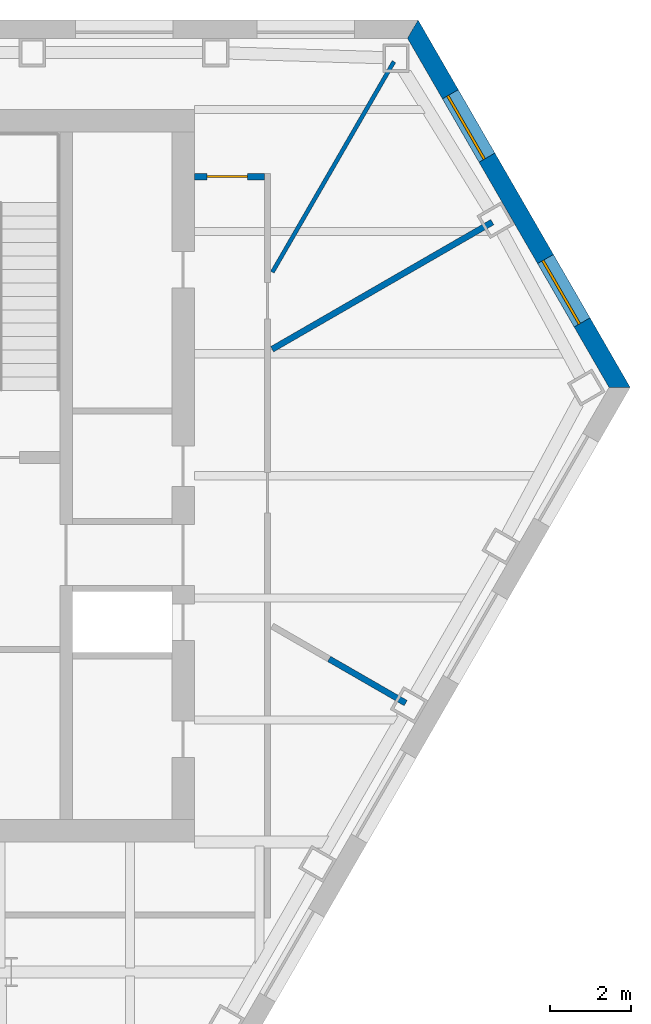
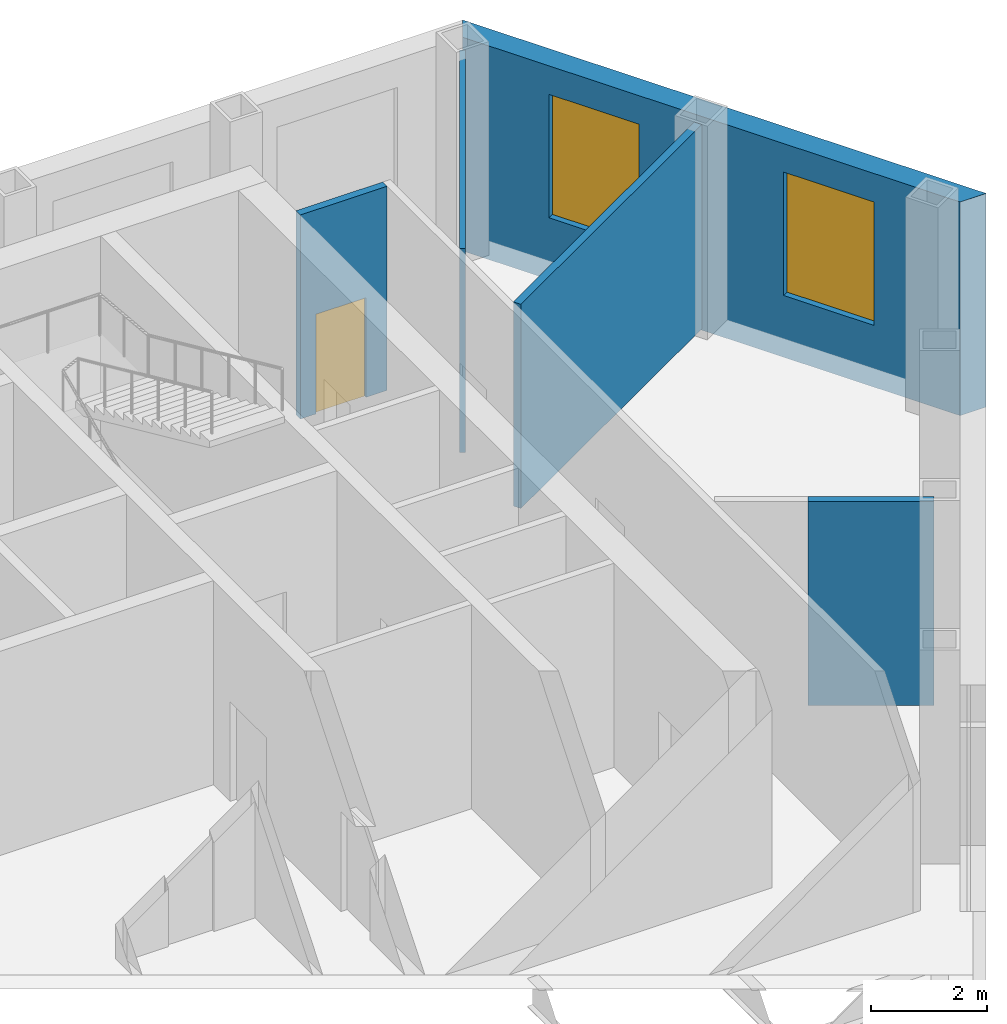
# One storey, part 8 of 11: 5 walls, 2 windows, 1 door, 3 openings.
"""IFC4 building model written with IfcOpenShell, lengths in metres."""

import ifcopenshell
import ifcopenshell.guid

model = None  # the IFC model being written
_history = None  # IfcOwnerHistory: only IFC2X3 demands one
_inside = {}  # id of a spatial element -> (the spatial element, [elements in it])
_under = {}  # id of a project, library or spatial element -> (it, [spatial elements below it])
_declared = {}  # id of a project -> (the project, [libraries it declares])
_typed = {}  # id of a type object -> (the type object, [elements of that type])
_made_of = {}  # id of a material, layer set ... -> (it, [elements and type objects made of it])


def new_model(schema):
    """Start an empty IFC model of exactly this schema.

    Asked for "IFC4X3", IfcOpenShell would pick the latest addendum, in which some entities
    have other attributes; the version numbers below select the first issue.
    IFC2X3 requires an IfcOwnerHistory on every rooted entity: one is made here for all.
    """
    global model, _history
    if schema == "IFC4X3":
        model = ifcopenshell.file(schema_version=(4, 3, 0, 0))
    else:
        model = ifcopenshell.file(schema=schema)
    _inside.clear()
    _under.clear()
    _declared.clear()
    _typed.clear()
    _made_of.clear()
    _history = None
    if model.schema == "IFC2X3":
        org = make("IfcOrganization", Name="unknown")
        user = make(
            "IfcPersonAndOrganization",
            ThePerson=make("IfcPerson", FamilyName="unknown"),
            TheOrganization=org,
        )
        app = make(
            "IfcApplication",
            ApplicationDeveloper=org,
            Version="unknown",
            ApplicationFullName="unknown",
            ApplicationIdentifier="unknown",
        )
        _history = make(
            "IfcOwnerHistory",
            OwningUser=user,
            OwningApplication=app,
            ChangeAction="ADDED",
            CreationDate=0,
        )
    return model


def make(cls, **values):
    """One entity of the class cls with the attributes given. An attribute that is None is left unset."""
    return model.create_entity(
        cls, **{name: value for name, value in values.items() if value is not None}
    )


def rooted(cls, **values):
    """An entity with a GlobalId (a new one), such as an element, a storey or a relation."""
    return make(cls, GlobalId=ifcopenshell.guid.new(), OwnerHistory=_history, **values)


def si_unit(unit_type, name, prefix=None):
    """IfcSIUnit, for example si_unit("LENGTHUNIT", "METRE", prefix="MILLI")."""
    return make("IfcSIUnit", UnitType=unit_type, Prefix=prefix, Name=name)


def assignment(units):
    """IfcUnitAssignment: the units of a project."""
    return None if units is None else make("IfcUnitAssignment", Units=units)


def point(xyz):
    """IfcCartesianPoint."""
    return None if xyz is None else make("IfcCartesianPoint", Coordinates=xyz)


def direction(xyz):
    """IfcDirection."""
    return None if xyz is None else make("IfcDirection", DirectionRatios=xyz)


def frame(location, z_axis=None, x_axis=None):
    """IfcAxis2Placement3D, a coordinate frame: its origin and axes. An axis left out is left unset."""
    return make(
        "IfcAxis2Placement3D",
        Location=point(location),
        Axis=direction(z_axis),
        RefDirection=direction(x_axis),
    )


def frame_2d(location, x_axis=None):
    """IfcAxis2Placement2D, a coordinate frame in the plane: its origin and x axis."""
    return make(
        "IfcAxis2Placement2D", Location=point(location), RefDirection=direction(x_axis)
    )


def origin():
    """The frame at (0, 0, 0) with its axes left unset."""
    return frame((0.0, 0.0, 0.0))


def place(relative_to, where):
    """IfcLocalPlacement: puts the frame where relative to a parent placement (None: the world)."""
    return make(
        "IfcLocalPlacement", PlacementRelTo=relative_to, RelativePlacement=where
    )


def context(
    kind, dimensions, precision=None, world=None, true_north=None, identifier=None
):
    """IfcGeometricRepresentationContext, for example the 3D "Model" context."""
    return make(
        "IfcGeometricRepresentationContext",
        ContextIdentifier=identifier,
        ContextType=kind,
        CoordinateSpaceDimension=dimensions,
        Precision=precision,
        WorldCoordinateSystem=world,
        TrueNorth=true_north,
    )


def subcontext(parent, identifier, kind, view, scale=None):
    """IfcGeometricRepresentationSubContext, for example "Body" below "Model"."""
    return make(
        "IfcGeometricRepresentationSubContext",
        ContextIdentifier=identifier,
        ContextType=kind,
        ParentContext=parent,
        TargetScale=scale,
        TargetView=view,
    )


def project(units=None, contexts=None):
    """IfcProject with its units and contexts."""
    return rooted(
        "IfcProject",
        Name="project",
        RepresentationContexts=contexts,
        UnitsInContext=assignment(units),
    )


def spatial(cls, under=None, at=None, **own):
    """A site, building, storey or space (cls), placed at a placement, below another one or the project."""
    s = rooted(cls, ObjectPlacement=at, **own)
    if under is not None:
        _under.setdefault(under.id(), (under, []))[1].append(s)
    return s


def polyline(points):
    """IfcPolyline through the points."""
    return make("IfcPolyline", Points=[point(p) for p in points])


def profile(cls, at=None, kind="AREA", **sizes):
    """A parametric profile (cls). Its sizes go by their IFC names, for example OverallWidth=200.0."""
    return make(cls, ProfileType=kind, Position=at, **sizes)


def rectangle(**sizes):
    """IfcRectangleProfileDef."""
    return profile("IfcRectangleProfileDef", **sizes)


def outline(outer, holes=None, kind="AREA"):
    """IfcArbitraryClosedProfileDef: a profile drawn as a closed curve; with holes, ...WithVoids."""
    if holes is None:
        return make("IfcArbitraryClosedProfileDef", ProfileType=kind, OuterCurve=outer)
    return make(
        "IfcArbitraryProfileDefWithVoids",
        ProfileType=kind,
        OuterCurve=outer,
        InnerCurves=holes,
    )


def extrude(swept, where, along, depth):
    """IfcExtrudedAreaSolid: the profile swept, set in the frame where, extruded along a direction by depth."""
    return make(
        "IfcExtrudedAreaSolid",
        SweptArea=swept,
        Position=where,
        ExtrudedDirection=direction(along),
        Depth=depth,
    )


def shape(context_of_items, identifier, shape_type, items):
    """IfcShapeRepresentation: the items that make up one representation, for example the "Body"."""
    return make(
        "IfcShapeRepresentation",
        ContextOfItems=context_of_items,
        RepresentationIdentifier=identifier,
        RepresentationType=shape_type,
        Items=items,
    )


def material(Name=None, Category=None):
    """IfcMaterial."""
    return make("IfcMaterial", Name=Name, Category=Category)


def layer(
    of_material, thickness, ventilated=None, Name=None, Category=None, Priority=None
):
    """IfcMaterialLayer: one layer of a wall or slab, of a material (None: an air gap)."""
    return make(
        "IfcMaterialLayer",
        Material=of_material,
        LayerThickness=thickness,
        IsVentilated=ventilated,
        Name=Name,
        Category=Category,
        Priority=Priority,
    )


def layer_set(layers, Name=None):
    """IfcMaterialLayerSet."""
    return make("IfcMaterialLayerSet", MaterialLayers=layers, LayerSetName=Name)


def made_of(thing, what):
    """Note that an element or type object is made of a material, layer set ...; save() writes the relation."""
    if what is not None:
        _made_of.setdefault(what.id(), (what, []))[1].append(thing)
    return thing


def type_object(cls, material=None, **own):
    """A type object (cls), such as IfcWallType, which elements share."""
    return made_of(rooted(cls, **own), material)


def element(
    cls,
    number,
    at=None,
    inside=None,
    cuts=None,
    type_object=None,
    material=None,
    context=None,
    identifier="Body",
    shape_type=None,
    held_by="IfcProductDefinitionShape",
    body=None,
    shapes=None,
    **own,
):
    """One element of the class cls, such as IfcWall. Its Tag is "e" and its number.

    at: its placement. inside: the storey or other place that contains it. cuts: it is an
    opening in that element (IfcRelVoidsElement). A single representation is given by context,
    identifier, shape_type and body (its items); several are given by shapes. held_by: the class
    of the entity that holds the representations. save() writes the other relations.
    """
    e = rooted(cls, Tag="e%d" % number, ObjectPlacement=at, **own)
    if body is not None:
        shapes = [shape(context, identifier, shape_type, body)]
    if shapes is not None:
        e.Representation = make(held_by, Representations=shapes)
    if inside is not None:
        _inside.setdefault(inside.id(), (inside, []))[1].append(e)
    if cuts is not None:
        rooted(
            "IfcRelVoidsElement", RelatingBuildingElement=cuts, RelatedOpeningElement=e
        )
    if type_object is not None:
        _typed.setdefault(type_object.id(), (type_object, []))[1].append(e)
    return made_of(e, material)


def fill(opening, filler):
    """IfcRelFillsElement: the door or window that sits in an opening."""
    return rooted(
        "IfcRelFillsElement",
        RelatingOpeningElement=opening,
        RelatedBuildingElement=filler,
    )


def aggregate(whole, parts):
    """IfcRelAggregates: a whole, such as a stair, and the parts it consists of."""
    return rooted("IfcRelAggregates", RelatingObject=whole, RelatedObjects=parts)


def save(model, path):
    """Write the relations noted so far, then the file.

    IfcRelAggregates (storeys below a building ...), IfcRelContainedInSpatialStructure (elements
    in a storey), IfcRelDefinesByType, IfcRelAssociatesMaterial and IfcRelDeclares: one each for
    every whole, place, type object, material and project.
    """
    for whole, parts in _under.values():
        aggregate(whole, parts)
    for where, things in _inside.values():
        rooted(
            "IfcRelContainedInSpatialStructure",
            RelatedElements=things,
            RelatingStructure=where,
        )
    for kind, things in _typed.values():
        rooted("IfcRelDefinesByType", RelatedObjects=things, RelatingType=kind)
    for what, things in _made_of.values():
        rooted("IfcRelAssociatesMaterial", RelatedObjects=things, RelatingMaterial=what)
    for by, libraries in _declared.values():
        rooted("IfcRelDeclares", RelatingContext=by, RelatedDefinitions=libraries)
    model.write(path)


model = new_model("IFC4")

# Units and contexts
model_context = context("Model", 3, precision=1e-05, world=origin(), true_north=direction((0.0, 1.0)))
body_context = subcontext(model_context, "Body", "Model", "MODEL_VIEW")
ifc_project = project(units=[si_unit("LENGTHUNIT", "METRE"), si_unit("AREAUNIT", "SQUARE_METRE"), si_unit("VOLUMEUNIT", "CUBIC_METRE"), si_unit("PLANEANGLEUNIT", "RADIAN"), si_unit("MASSUNIT", "GRAM", prefix="KILO")], contexts=[model_context])

# Site, building, storey
site_placement = place(None, origin())
site = spatial("IfcSite", under=ifc_project, at=site_placement, CompositionType="ELEMENT")
building_placement = place(site_placement, origin())
building = spatial("IfcBuilding", under=site, at=building_placement, Name="Njiva Tower", CompositionType="ELEMENT")
storey_placement = place(building_placement, frame((0.0, 0.0, 88.8)))
storey = spatial("IfcBuildingStorey", under=building, at=storey_placement, Name="L18", CompositionType="ELEMENT", Elevation=88.8)

# Wall
ifc_material_1 = material(Name="Gypsum board on steel studs", Category="gypsum")
ifc_layer_1 = layer(ifc_material_1, 0.1)
ifc_layer_set_1 = layer_set([ifc_layer_1], Name="Gypsum board on steel studs")
wall_type_1 = type_object("IfcWallType", Name="WT20 Gypsum partition 100", PredefinedType="PARTITIONING", material=ifc_layer_set_1)
wall_1_placement = place(storey_placement, frame((19.418, 14.005, 0.0), z_axis=(0.0, 0.0, 1.0), x_axis=(0.500026652407, 0.866010015463, 0.0)))
element("IfcWall", 1, at=wall_1_placement, inside=storey, type_object=wall_type_1, Name="Partition S06-P023", PredefinedType="PARTITIONING", context=body_context, shape_type="SweptSolid", body=[
    extrude(rectangle(XDim=5.9757, YDim=0.1, at=frame_2d((2.9878, 0.0))), origin(), (0.0, 0.0, 1.0), 4.3),
])

# Wall, opening, door
ifc_layer_2 = layer(ifc_material_1, 0.15)
ifc_layer_set_2 = layer_set([ifc_layer_2], Name="Gypsum board on steel studs")
wall_type_2 = type_object("IfcWallType", Name="WT21 Compartment wall 150", PredefinedType="PARTITIONING", material=ifc_layer_set_2)
wall_2_placement = place(storey_placement, frame((17.5, 16.35, 0.0), z_axis=(0.0, 0.0, 1.0), x_axis=(1.0, 0.0, 0.0)))
wall_2 = element("IfcWall", 2, at=wall_2_placement, inside=storey, type_object=wall_type_2, Name="Partition S06-P019", PredefinedType="PARTITIONING", context=body_context, shape_type="SweptSolid", body=[
    extrude(rectangle(XDim=1.725, YDim=0.15, at=frame_2d((0.8625, 0.0))), origin(), (0.0, 0.0, 1.0), 4.3),
])
opening_1_placement = place(wall_2_placement, frame((0.308, 0.0, 0.0)))
opening_1 = element("IfcOpeningElement", 3, at=opening_1_placement, cuts=wall_2, Name="Opening S06-D011", PredefinedType="OPENING", context=body_context, shape_type="SweptSolid", body=[
    extrude(rectangle(XDim=1.0, YDim=2.1, at=frame_2d((0.5, 1.05))), frame((0.0, 0.085, 0.0), z_axis=(0.0, -1.0, 0.0), x_axis=(1.0, 0.0, 0.0)), (0.0, 0.0, 1.0), 0.17),
])
ifc_material_2 = material(Name="Steel fire door set", Category="steel")
door_type = type_object("IfcDoorType", Name="D37 Fire door 1000x2100", OperationType="SINGLE_SWING_LEFT", PredefinedType="DOOR", material=ifc_material_2)
door_placement = place(opening_1_placement, origin())
door = element("IfcDoor", 4, at=door_placement, inside=storey, type_object=door_type, Name="Door S06-D011", OperationType="SINGLE_SWING_RIGHT", OverallHeight=2.1, OverallWidth=1.0, PredefinedType="DOOR", context=body_context, shape_type="SweptSolid", body=[
    extrude(rectangle(XDim=1.0, YDim=2.1, at=frame_2d((0.5, 1.05))), frame((0.0, 0.025, 0.0), z_axis=(0.0, -1.0, 0.0), x_axis=(1.0, 0.0, 0.0)), (0.0, 0.0, 1.0), 0.05),
])
fill(opening_1, door)

# Walls
wall_3_placement = place(storey_placement, frame((19.412, 12.11, 0.0), z_axis=(0.0, 0.0, 1.0), x_axis=(0.866097636026, 0.499874869213, 0.0)))
element("IfcWall", 5, at=wall_3_placement, inside=storey, type_object=wall_type_2, Name="Partition S06-P021", PredefinedType="PARTITIONING", context=body_context, shape_type="SweptSolid", body=[
    extrude(rectangle(XDim=6.2476, YDim=0.15, at=frame_2d((3.1238, 0.0))), origin(), (0.0, 0.0, 1.0), 4.3),
])
wall_4_placement = place(storey_placement, frame((20.813, 4.497, 0.0), z_axis=(0.0, 0.0, 1.0), x_axis=(0.866423210078, -0.499310345414, 0.0)))
element("IfcWall", 6, at=wall_4_placement, inside=storey, type_object=wall_type_2, Name="Partition S06-P024", PredefinedType="PARTITIONING", context=body_context, shape_type="SweptSolid", body=[
    extrude(rectangle(XDim=2.171, YDim=0.15, at=frame_2d((1.0855, 0.0))), origin(), (0.0, 0.0, 1.0), 4.3),
])

# Wall, openings, windows
ifc_material_3 = material(Name="Brick masonry, buff", Category="masonry")
ifc_layer_3 = layer(ifc_material_3, 0.45)
ifc_layer_set_3 = layer_set([ifc_layer_3], Name="Brick masonry, buff")
wall_type_3 = type_object("IfcWallType", Name="WT94 Brick pier and spandrel wall 450, buff", PredefinedType="SOLIDWALL", material=ifc_layer_set_3)
wall_5_placement = place(storey_placement, frame((27.9539, 11.1695, -0.4), z_axis=(0.0, 0.0, 1.0), x_axis=(-0.499997937663, 0.866026594472, 0.0)))
wall_5 = element("IfcWall", 7, at=wall_5_placement, inside=storey, type_object=wall_type_3, Name="Facade wall NE", PredefinedType="SOLIDWALL", context=body_context, shape_type="SweptSolid", body=[
    extrude(outline(polyline([(-0.1299, -0.225), (10.3001, -0.225), (10.0403, 0.225), (0.1299, 0.225), (-0.1299, -0.225)])), origin(), (0.0, 0.0, 1.0), 4.5),
])
opening_2_placement = place(wall_5_placement, frame((1.8469, 0.0, 1.3)))
opening_2 = element("IfcOpeningElement", 8, at=opening_2_placement, cuts=wall_5, Name="Opening S06-W34", PredefinedType="OPENING", context=body_context, shape_type="SweptSolid", body=[
    extrude(rectangle(XDim=1.8, YDim=2.6, at=frame_2d((0.9, 1.3))), frame((0.0, 0.235, 0.0), z_axis=(0.0, -1.0, 0.0), x_axis=(1.0, 0.0, 0.0)), (0.0, 0.0, 1.0), 0.47),
])
opening_3_placement = place(wall_5_placement, frame((6.5232, 0.0, 1.3)))
opening_3 = element("IfcOpeningElement", 9, at=opening_3_placement, cuts=wall_5, Name="Opening S06-W35", PredefinedType="OPENING", context=body_context, shape_type="SweptSolid", body=[
    extrude(rectangle(XDim=1.8, YDim=2.6, at=frame_2d((0.9, 1.3))), frame((0.0, 0.235, 0.0), z_axis=(0.0, -1.0, 0.0), x_axis=(1.0, 0.0, 0.0)), (0.0, 0.0, 1.0), 0.47),
])
ifc_material_4 = material(Name="Clear glazing in aluminium frame", Category="aluminium")
window_type = type_object("IfcWindowType", Name="W96 Deep-set window 1800x2600", PartitioningType="SINGLE_PANEL", PredefinedType="WINDOW", material=ifc_material_4)
window_1_placement = place(opening_2_placement, origin())
window_1 = element("IfcWindow", 10, at=window_1_placement, inside=storey, type_object=window_type, Name="Window", OverallHeight=2.6, OverallWidth=1.8, PartitioningType="SINGLE_PANEL", PredefinedType="WINDOW", context=body_context, shape_type="SweptSolid", body=[
    extrude(rectangle(XDim=1.8, YDim=2.6, at=frame_2d((0.9, 1.3))), frame((0.0, 0.105, 0.0), z_axis=(0.0, -1.0, 0.0), x_axis=(1.0, 0.0, 0.0)), (0.0, 0.0, 1.0), 0.06),
])
fill(opening_2, window_1)
window_2_placement = place(opening_3_placement, origin())
window_2 = element("IfcWindow", 11, at=window_2_placement, inside=storey, type_object=window_type, Name="Window", OverallHeight=2.6, OverallWidth=1.8, PartitioningType="SINGLE_PANEL", PredefinedType="WINDOW", context=body_context, shape_type="SweptSolid", body=[
    extrude(rectangle(XDim=1.8, YDim=2.6, at=frame_2d((0.9, 1.3))), frame((0.0, 0.105, 0.0), z_axis=(0.0, -1.0, 0.0), x_axis=(1.0, 0.0, 0.0)), (0.0, 0.0, 1.0), 0.06),
])
fill(opening_3, window_2)

save(model, "model.ifc")
